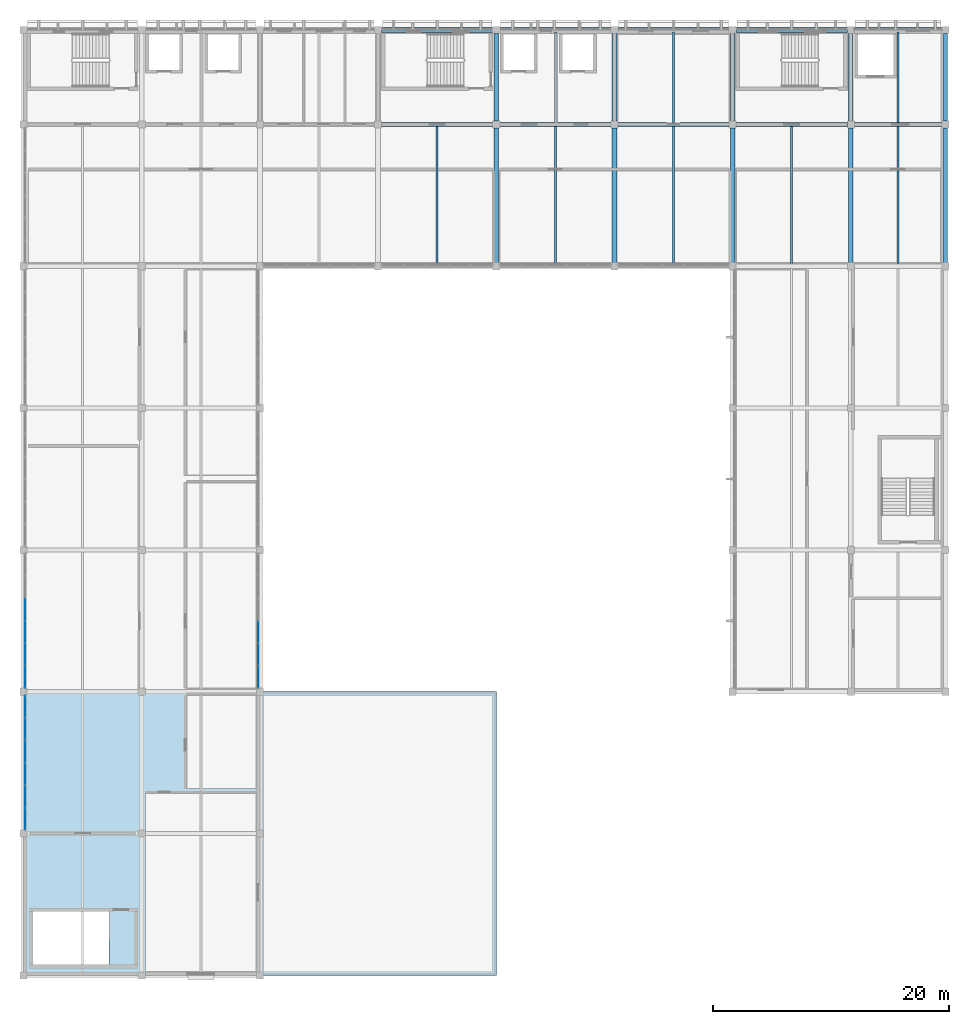
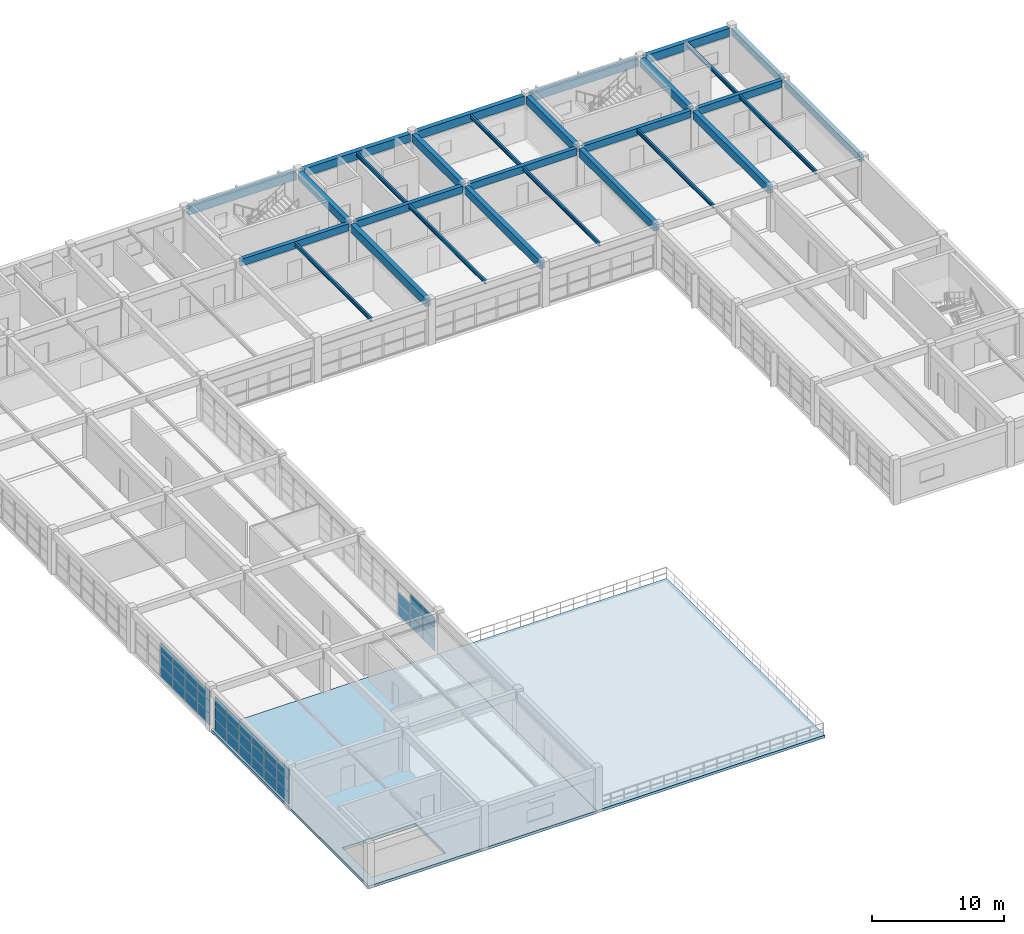
# One storey, part 14 of 28: 38 plates, 28 beams, 2 slabs, 3 elements without a shape of their own.
"""IFC4 building model written with IfcOpenShell, lengths in metres."""

import ifcopenshell
import ifcopenshell.guid

model = None  # the IFC model being written
_history = None  # IfcOwnerHistory: only IFC2X3 demands one
_inside = {}  # id of a spatial element -> (the spatial element, [elements in it])
_under = {}  # id of a project, library or spatial element -> (it, [spatial elements below it])
_declared = {}  # id of a project -> (the project, [libraries it declares])
_typed = {}  # id of a type object -> (the type object, [elements of that type])
_made_of = {}  # id of a material, layer set ... -> (it, [elements and type objects made of it])


def new_model(schema):
    """Start an empty IFC model of exactly this schema.

    Asked for "IFC4X3", IfcOpenShell would pick the latest addendum, in which some entities
    have other attributes; the version numbers below select the first issue.
    IFC2X3 requires an IfcOwnerHistory on every rooted entity: one is made here for all.
    """
    global model, _history
    if schema == "IFC4X3":
        model = ifcopenshell.file(schema_version=(4, 3, 0, 0))
    else:
        model = ifcopenshell.file(schema=schema)
    _inside.clear()
    _under.clear()
    _declared.clear()
    _typed.clear()
    _made_of.clear()
    _history = None
    if model.schema == "IFC2X3":
        org = make("IfcOrganization", Name="unknown")
        user = make(
            "IfcPersonAndOrganization",
            ThePerson=make("IfcPerson", FamilyName="unknown"),
            TheOrganization=org,
        )
        app = make(
            "IfcApplication",
            ApplicationDeveloper=org,
            Version="unknown",
            ApplicationFullName="unknown",
            ApplicationIdentifier="unknown",
        )
        _history = make(
            "IfcOwnerHistory",
            OwningUser=user,
            OwningApplication=app,
            ChangeAction="ADDED",
            CreationDate=0,
        )
    return model


def make(cls, **values):
    """One entity of the class cls with the attributes given. An attribute that is None is left unset."""
    return model.create_entity(
        cls, **{name: value for name, value in values.items() if value is not None}
    )


def rooted(cls, **values):
    """An entity with a GlobalId (a new one), such as an element, a storey or a relation."""
    return make(cls, GlobalId=ifcopenshell.guid.new(), OwnerHistory=_history, **values)


def si_unit(unit_type, name, prefix=None):
    """IfcSIUnit, for example si_unit("LENGTHUNIT", "METRE", prefix="MILLI")."""
    return make("IfcSIUnit", UnitType=unit_type, Prefix=prefix, Name=name)


def assignment(units):
    """IfcUnitAssignment: the units of a project."""
    return None if units is None else make("IfcUnitAssignment", Units=units)


def point(xyz):
    """IfcCartesianPoint."""
    return None if xyz is None else make("IfcCartesianPoint", Coordinates=xyz)


def direction(xyz):
    """IfcDirection."""
    return None if xyz is None else make("IfcDirection", DirectionRatios=xyz)


def frame(location, z_axis=None, x_axis=None):
    """IfcAxis2Placement3D, a coordinate frame: its origin and axes. An axis left out is left unset."""
    return make(
        "IfcAxis2Placement3D",
        Location=point(location),
        Axis=direction(z_axis),
        RefDirection=direction(x_axis),
    )


def frame_2d(location, x_axis=None):
    """IfcAxis2Placement2D, a coordinate frame in the plane: its origin and x axis."""
    return make(
        "IfcAxis2Placement2D", Location=point(location), RefDirection=direction(x_axis)
    )


def origin():
    """The frame at (0, 0, 0) with its axes left unset."""
    return frame((0.0, 0.0, 0.0))


def origin_2d():
    """The frame at (0, 0) in the plane with its x axis left unset."""
    return frame_2d((0.0, 0.0))


def place(relative_to, where):
    """IfcLocalPlacement: puts the frame where relative to a parent placement (None: the world)."""
    return make(
        "IfcLocalPlacement", PlacementRelTo=relative_to, RelativePlacement=where
    )


def context(
    kind, dimensions, precision=None, world=None, true_north=None, identifier=None
):
    """IfcGeometricRepresentationContext, for example the 3D "Model" context."""
    return make(
        "IfcGeometricRepresentationContext",
        ContextIdentifier=identifier,
        ContextType=kind,
        CoordinateSpaceDimension=dimensions,
        Precision=precision,
        WorldCoordinateSystem=world,
        TrueNorth=true_north,
    )


def subcontext(parent, identifier, kind, view, scale=None):
    """IfcGeometricRepresentationSubContext, for example "Body" below "Model"."""
    return make(
        "IfcGeometricRepresentationSubContext",
        ContextIdentifier=identifier,
        ContextType=kind,
        ParentContext=parent,
        TargetScale=scale,
        TargetView=view,
    )


def project(units=None, contexts=None):
    """IfcProject with its units and contexts."""
    return rooted(
        "IfcProject",
        Name="project",
        RepresentationContexts=contexts,
        UnitsInContext=assignment(units),
    )


def spatial(cls, under=None, at=None, **own):
    """A site, building, storey or space (cls), placed at a placement, below another one or the project."""
    s = rooted(cls, ObjectPlacement=at, **own)
    if under is not None:
        _under.setdefault(under.id(), (under, []))[1].append(s)
    return s


def polyline(points):
    """IfcPolyline through the points."""
    return make("IfcPolyline", Points=[point(p) for p in points])


def profile(cls, at=None, kind="AREA", **sizes):
    """A parametric profile (cls). Its sizes go by their IFC names, for example OverallWidth=200.0."""
    return make(cls, ProfileType=kind, Position=at, **sizes)


def rectangle(**sizes):
    """IfcRectangleProfileDef."""
    return profile("IfcRectangleProfileDef", **sizes)


def i_section(**sizes):
    """IfcIShapeProfileDef."""
    return profile("IfcIShapeProfileDef", **sizes)


def outline(outer, holes=None, kind="AREA"):
    """IfcArbitraryClosedProfileDef: a profile drawn as a closed curve; with holes, ...WithVoids."""
    if holes is None:
        return make("IfcArbitraryClosedProfileDef", ProfileType=kind, OuterCurve=outer)
    return make(
        "IfcArbitraryProfileDefWithVoids",
        ProfileType=kind,
        OuterCurve=outer,
        InnerCurves=holes,
    )


def extrude(swept, where, along, depth):
    """IfcExtrudedAreaSolid: the profile swept, set in the frame where, extruded along a direction by depth."""
    return make(
        "IfcExtrudedAreaSolid",
        SweptArea=swept,
        Position=where,
        ExtrudedDirection=direction(along),
        Depth=depth,
    )


def shape(context_of_items, identifier, shape_type, items):
    """IfcShapeRepresentation: the items that make up one representation, for example the "Body"."""
    return make(
        "IfcShapeRepresentation",
        ContextOfItems=context_of_items,
        RepresentationIdentifier=identifier,
        RepresentationType=shape_type,
        Items=items,
    )


def material(Name=None, Category=None):
    """IfcMaterial."""
    return make("IfcMaterial", Name=Name, Category=Category)


def layer(
    of_material, thickness, ventilated=None, Name=None, Category=None, Priority=None
):
    """IfcMaterialLayer: one layer of a wall or slab, of a material (None: an air gap)."""
    return make(
        "IfcMaterialLayer",
        Material=of_material,
        LayerThickness=thickness,
        IsVentilated=ventilated,
        Name=Name,
        Category=Category,
        Priority=Priority,
    )


def layer_set(layers, Name=None):
    """IfcMaterialLayerSet."""
    return make("IfcMaterialLayerSet", MaterialLayers=layers, LayerSetName=Name)


def material_profile(
    of_material, cross_section, Name=None, Category=None, Priority=None
):
    """IfcMaterialProfile: a cross section and its material."""
    return make(
        "IfcMaterialProfile",
        Name=Name,
        Material=of_material,
        Profile=cross_section,
        Priority=Priority,
        Category=Category,
    )


def profile_set(profiles, Name=None, composite=None):
    """IfcMaterialProfileSet."""
    return make(
        "IfcMaterialProfileSet",
        Name=Name,
        MaterialProfiles=profiles,
        CompositeProfile=composite,
    )


def made_of(thing, what):
    """Note that an element or type object is made of a material, layer set ...; save() writes the relation."""
    if what is not None:
        _made_of.setdefault(what.id(), (what, []))[1].append(thing)
    return thing


def type_object(cls, material=None, **own):
    """A type object (cls), such as IfcWallType, which elements share."""
    return made_of(rooted(cls, **own), material)


def element(
    cls,
    number,
    at=None,
    inside=None,
    cuts=None,
    type_object=None,
    material=None,
    context=None,
    identifier="Body",
    shape_type=None,
    held_by="IfcProductDefinitionShape",
    body=None,
    shapes=None,
    **own,
):
    """One element of the class cls, such as IfcWall. Its Tag is "e" and its number.

    at: its placement. inside: the storey or other place that contains it. cuts: it is an
    opening in that element (IfcRelVoidsElement). A single representation is given by context,
    identifier, shape_type and body (its items); several are given by shapes. held_by: the class
    of the entity that holds the representations. save() writes the other relations.
    """
    e = rooted(cls, Tag="e%d" % number, ObjectPlacement=at, **own)
    if body is not None:
        shapes = [shape(context, identifier, shape_type, body)]
    if shapes is not None:
        e.Representation = make(held_by, Representations=shapes)
    if inside is not None:
        _inside.setdefault(inside.id(), (inside, []))[1].append(e)
    if cuts is not None:
        rooted(
            "IfcRelVoidsElement", RelatingBuildingElement=cuts, RelatedOpeningElement=e
        )
    if type_object is not None:
        _typed.setdefault(type_object.id(), (type_object, []))[1].append(e)
    return made_of(e, material)


def aggregate(whole, parts):
    """IfcRelAggregates: a whole, such as a stair, and the parts it consists of."""
    return rooted("IfcRelAggregates", RelatingObject=whole, RelatedObjects=parts)


def save(model, path):
    """Write the relations noted so far, then the file.

    IfcRelAggregates (storeys below a building ...), IfcRelContainedInSpatialStructure (elements
    in a storey), IfcRelDefinesByType, IfcRelAssociatesMaterial and IfcRelDeclares: one each for
    every whole, place, type object, material and project.
    """
    for whole, parts in _under.values():
        aggregate(whole, parts)
    for where, things in _inside.values():
        rooted(
            "IfcRelContainedInSpatialStructure",
            RelatedElements=things,
            RelatingStructure=where,
        )
    for kind, things in _typed.values():
        rooted("IfcRelDefinesByType", RelatedObjects=things, RelatingType=kind)
    for what, things in _made_of.values():
        rooted("IfcRelAssociatesMaterial", RelatedObjects=things, RelatingMaterial=what)
    for by, libraries in _declared.values():
        rooted("IfcRelDeclares", RelatingContext=by, RelatedDefinitions=libraries)
    model.write(path)


model = new_model("IFC4")

# Units and contexts
model_context = context("Model", 3, precision=1e-05, world=origin(), true_north=direction((0.0, 1.0)))
body_context = subcontext(model_context, "Body", "Model", "MODEL_VIEW")
ifc_project = project(units=[si_unit("LENGTHUNIT", "METRE"), si_unit("AREAUNIT", "SQUARE_METRE"), si_unit("VOLUMEUNIT", "CUBIC_METRE"), si_unit("PLANEANGLEUNIT", "RADIAN"), si_unit("MASSUNIT", "GRAM", prefix="KILO")], contexts=[model_context])

# Site, building, storey
site_placement = place(None, origin())
site = spatial("IfcSite", under=ifc_project, at=site_placement, CompositionType="ELEMENT")
building_placement = place(site_placement, origin())
building = spatial("IfcBuilding", under=site, at=building_placement, Name="Kivolera Central Railway Station", CompositionType="ELEMENT")
storey_placement = place(building_placement, frame((0.0, 0.0, 18.60009765625)))
storey = spatial("IfcBuildingStorey", under=building, at=storey_placement, Name="L04", CompositionType="ELEMENT", Elevation=18.60009765625)

# Beams
ifc_material_1 = material(Name="Steel S355", Category="steel")
ifc_material_profile_1 = material_profile(ifc_material_1, i_section(OverallWidth=0.169921875, OverallDepth=0.360107421875, WebThickness=0.008056640625, FlangeThickness=0.0126953125, FilletRadius=0.01806640625, at=origin_2d()), Name="IPE 360")
ifc_profile_set_1 = profile_set([ifc_material_profile_1], Name="Steel S355")
beam_type_1 = type_object("IfcBeamType", Name="BM-JST-IPE360", PredefinedType="JOIST", material=ifc_profile_set_1)
for number, where, z_axis, x_axis, name in (
    (1, (153.0, 114.1669921875, 3.7578125), (0.0, 1.0, 0.0), (-1.0, 0.0, 0.0), "L04 Floor Joist 15-16/K-L"),
    (2, (163.0, 114.1669921875, 3.7578125), (0.0, 1.0, 0.0), (-1.0, 0.0, 0.0), "L04 Floor Joist 16-17/K-L"),
):
    element("IfcBeam", number, at=place(storey_placement, frame(where, z_axis=z_axis, x_axis=x_axis)), inside=storey, type_object=beam_type_1, Name=name, PredefinedType="JOIST", context=body_context, shape_type="SweptSolid", body=[
        extrude(i_section(OverallWidth=0.169921875, OverallDepth=0.360107421875, WebThickness=0.008056640625, FlangeThickness=0.0126953125, FilletRadius=0.01806640625, at=origin_2d()), origin(), (0.0, 0.0, 1.0), 11.666015625),
    ])
beam_1_placement = place(storey_placement, frame((163.0, 126.1669921875, 3.7578125), z_axis=(0.0, 1.0, 0.0), x_axis=(-1.0, 0.0, 0.0)))
element("IfcBeam", 3, at=beam_1_placement, inside=storey, type_object=beam_type_1, Name="L04 Floor Joist 16-17/L-M", PredefinedType="JOIST", context=body_context, shape_type="SweptSolid", body=[
    extrude(i_section(OverallWidth=0.169921875, OverallDepth=0.360107421875, WebThickness=0.008056640625, FlangeThickness=0.0126953125, FilletRadius=0.01806640625, at=origin_2d()), origin(), (0.0, 0.0, 1.0), 7.64111328125),
])
beam_2_placement = place(storey_placement, frame((173.0, 114.1669921875, 3.7578125), z_axis=(0.0, 1.0, 0.0), x_axis=(-1.0, 0.0, 0.0)))
element("IfcBeam", 4, at=beam_2_placement, inside=storey, type_object=beam_type_1, Name="L04 Floor Joist 17-18/K-L", PredefinedType="JOIST", context=body_context, shape_type="SweptSolid", body=[
    extrude(i_section(OverallWidth=0.169921875, OverallDepth=0.360107421875, WebThickness=0.008056640625, FlangeThickness=0.0126953125, FilletRadius=0.01806640625, at=origin_2d()), origin(), (0.0, 0.0, 1.0), 11.666015625),
])
beam_3_placement = place(storey_placement, frame((173.0, 126.1669921875, 3.7578125), z_axis=(0.0, 1.0, 0.0), x_axis=(-1.0, 0.0, 0.0)))
element("IfcBeam", 5, at=beam_3_placement, inside=storey, type_object=beam_type_1, Name="L04 Floor Joist 17-18/L-M", PredefinedType="JOIST", context=body_context, shape_type="SweptSolid", body=[
    extrude(i_section(OverallWidth=0.169921875, OverallDepth=0.360107421875, WebThickness=0.008056640625, FlangeThickness=0.0126953125, FilletRadius=0.01806640625, at=origin_2d()), origin(), (0.0, 0.0, 1.0), 7.64111328125),
])
for number, where, z_axis, x_axis, name in (
    (6, (183.0, 114.1669921875, 3.7578125), (0.0, 1.0, 0.0), (-1.0, 0.0, 0.0), "L04 Floor Joist 18-19/K-L"),
    (7, (192.0, 114.1669921875, 3.7578125), (0.0, 1.0, 0.0), (-1.0, 0.0, 0.0), "L04 Floor Joist 19-20/K-L"),
):
    element("IfcBeam", number, at=place(storey_placement, frame(where, z_axis=z_axis, x_axis=x_axis)), inside=storey, type_object=beam_type_1, Name=name, PredefinedType="JOIST", context=body_context, shape_type="SweptSolid", body=[
        extrude(i_section(OverallWidth=0.169921875, OverallDepth=0.360107421875, WebThickness=0.008056640625, FlangeThickness=0.0126953125, FilletRadius=0.01806640625, at=origin_2d()), origin(), (0.0, 0.0, 1.0), 11.666015625),
    ])
beam_4_placement = place(storey_placement, frame((192.0, 126.1669921875, 3.7578125), z_axis=(0.0, 1.0, 0.0), x_axis=(-1.0, 0.0, 0.0)))
element("IfcBeam", 8, at=beam_4_placement, inside=storey, type_object=beam_type_1, Name="L04 Floor Joist 19-20/L-M", PredefinedType="JOIST", context=body_context, shape_type="SweptSolid", body=[
    extrude(i_section(OverallWidth=0.169921875, OverallDepth=0.360107421875, WebThickness=0.008056640625, FlangeThickness=0.0126953125, FilletRadius=0.01806640625, at=origin_2d()), origin(), (0.0, 0.0, 1.0), 7.64111328125),
])
ifc_material_2 = material(Name="Concrete C40/50", Category="concrete")
ifc_material_profile_2 = material_profile(ifc_material_2, rectangle(XDim=0.35009765625, YDim=0.64990234375, at=origin_2d()), Name="RC 350x650")
ifc_profile_set_2 = profile_set([ifc_material_profile_2], Name="Concrete C40/50")
beam_type_2 = type_object("IfcBeamType", Name="BM-RC-350x650", PredefinedType="BEAM", material=ifc_profile_set_2)
for number, where, z_axis, x_axis, name in (
    (9, (148.2919921875, 126.0, 3.625), (1.0, 0.0, 0.0), (0.0, 1.0, 0.0), "L04 Wing X-Beam L:15-16"),
    (10, (158.2919921875, 126.0, 3.625), (1.0, 0.0, 0.0), (0.0, 1.0, 0.0), "L04 Wing X-Beam L:16-17"),
    (11, (168.2919921875, 126.0, 3.625), (1.0, 0.0, 0.0), (0.0, 1.0, 0.0), "L04 Wing X-Beam L:17-18"),
    (12, (178.2919921875, 126.0, 3.625), (1.0, 0.0, 0.0), (0.0, 1.0, 0.0), "L04 Wing X-Beam L:18-19"),
):
    element("IfcBeam", number, at=place(storey_placement, frame(where, z_axis=z_axis, x_axis=x_axis)), inside=storey, type_object=beam_type_2, Name=name, PredefinedType="BEAM", context=body_context, shape_type="SweptSolid", body=[
        extrude(rectangle(XDim=0.35009765625, YDim=0.64990234375, at=origin_2d()), origin(), (0.0, 0.0, 1.0), 9.416015625),
    ])
beam_5_placement = place(storey_placement, frame((188.2919921875, 126.0, 3.625), z_axis=(1.0, 0.0, 0.0), x_axis=(0.0, 1.0, 0.0)))
element("IfcBeam", 13, at=beam_5_placement, inside=storey, type_object=beam_type_2, Name="L04 Wing X-Beam L:19-20", PredefinedType="BEAM", context=body_context, shape_type="SweptSolid", body=[
    extrude(rectangle(XDim=0.35009765625, YDim=0.64990234375, at=origin_2d()), origin(), (0.0, 0.0, 1.0), 7.416015625),
])
ifc_material_profile_3 = material_profile(ifc_material_2, rectangle(XDim=0.39990234375, YDim=0.75, at=origin_2d()), Name="RC 400x750")
ifc_profile_set_3 = profile_set([ifc_material_profile_3], Name="Concrete C40/50")
beam_type_3 = type_object("IfcBeamType", Name="BM-RC-400x750", PredefinedType="BEAM", material=ifc_profile_set_3)
beam_6_placement = place(storey_placement, frame((158.0, 114.2919921875, 3.574951171875), z_axis=(0.0, 1.0, 0.0), x_axis=(-1.0, 0.0, 0.0)))
element("IfcBeam", 14, at=beam_6_placement, inside=storey, type_object=beam_type_3, Name="L04 Wing Y-Beam 16:K-L", PredefinedType="BEAM", context=body_context, shape_type="SweptSolid", body=[
    extrude(rectangle(XDim=0.39990234375, YDim=0.75, at=origin_2d()), origin(), (0.0, 0.0, 1.0), 11.416015625),
])
beam_7_placement = place(storey_placement, frame((158.0, 126.2919921875, 3.574951171875), z_axis=(0.0, 1.0, 0.0), x_axis=(-1.0, 0.0, 0.0)))
element("IfcBeam", 15, at=beam_7_placement, inside=storey, type_object=beam_type_3, Name="L04 Wing Y-Beam 16:L-M", PredefinedType="BEAM", context=body_context, shape_type="SweptSolid", body=[
    extrude(rectangle(XDim=0.39990234375, YDim=0.75, at=origin_2d()), origin(), (0.0, 0.0, 1.0), 7.416015625),
])
beam_8_placement = place(storey_placement, frame((168.0, 114.2919921875, 3.574951171875), z_axis=(0.0, 1.0, 0.0), x_axis=(-1.0, 0.0, 0.0)))
element("IfcBeam", 16, at=beam_8_placement, inside=storey, type_object=beam_type_3, Name="L04 Wing Y-Beam 17:K-L", PredefinedType="BEAM", context=body_context, shape_type="SweptSolid", body=[
    extrude(rectangle(XDim=0.39990234375, YDim=0.75, at=origin_2d()), origin(), (0.0, 0.0, 1.0), 11.416015625),
])
beam_9_placement = place(storey_placement, frame((168.0, 126.2919921875, 3.574951171875), z_axis=(0.0, 1.0, 0.0), x_axis=(-1.0, 0.0, 0.0)))
element("IfcBeam", 17, at=beam_9_placement, inside=storey, type_object=beam_type_3, Name="L04 Wing Y-Beam 17:L-M", PredefinedType="BEAM", context=body_context, shape_type="SweptSolid", body=[
    extrude(rectangle(XDim=0.39990234375, YDim=0.75, at=origin_2d()), origin(), (0.0, 0.0, 1.0), 7.416015625),
])
beam_10_placement = place(storey_placement, frame((178.0, 114.2919921875, 3.574951171875), z_axis=(0.0, 1.0, 0.0), x_axis=(-1.0, 0.0, 0.0)))
element("IfcBeam", 18, at=beam_10_placement, inside=storey, type_object=beam_type_3, Name="L04 Wing Y-Beam 18:K-L", PredefinedType="BEAM", context=body_context, shape_type="SweptSolid", body=[
    extrude(rectangle(XDim=0.39990234375, YDim=0.75, at=origin_2d()), origin(), (0.0, 0.0, 1.0), 11.416015625),
])
beam_11_placement = place(storey_placement, frame((178.0, 126.2919921875, 3.574951171875), z_axis=(0.0, 1.0, 0.0), x_axis=(-1.0, 0.0, 0.0)))
element("IfcBeam", 19, at=beam_11_placement, inside=storey, type_object=beam_type_3, Name="L04 Wing Y-Beam 18:L-M", PredefinedType="BEAM", context=body_context, shape_type="SweptSolid", body=[
    extrude(rectangle(XDim=0.39990234375, YDim=0.75, at=origin_2d()), origin(), (0.0, 0.0, 1.0), 7.416015625),
])
beam_12_placement = place(storey_placement, frame((188.0, 114.2919921875, 3.574951171875), z_axis=(0.0, 1.0, 0.0), x_axis=(-1.0, 0.0, 0.0)))
element("IfcBeam", 20, at=beam_12_placement, inside=storey, type_object=beam_type_3, Name="L04 Wing Y-Beam 19:K-L", PredefinedType="BEAM", context=body_context, shape_type="SweptSolid", body=[
    extrude(rectangle(XDim=0.39990234375, YDim=0.75, at=origin_2d()), origin(), (0.0, 0.0, 1.0), 11.416015625),
])
beam_13_placement = place(storey_placement, frame((188.0, 126.2919921875, 3.574951171875), z_axis=(0.0, 1.0, 0.0), x_axis=(-1.0, 0.0, 0.0)))
element("IfcBeam", 21, at=beam_13_placement, inside=storey, type_object=beam_type_3, Name="L04 Wing Y-Beam 19:L-M", PredefinedType="BEAM", context=body_context, shape_type="SweptSolid", body=[
    extrude(rectangle(XDim=0.39990234375, YDim=0.75, at=origin_2d()), origin(), (0.0, 0.0, 1.0), 7.416015625),
])
ifc_material_profile_4 = material_profile(ifc_material_2, rectangle(XDim=0.35009765625, YDim=0.64990234375, at=origin_2d()), Name="RC 350x650")
ifc_profile_set_4 = profile_set([ifc_material_profile_4], Name="Concrete C40/50")
beam_type_4 = type_object("IfcBeamType", Name="BM-SPN-RC650", PredefinedType="SPANDREL", material=ifc_profile_set_4)
beam_14_placement = place(storey_placement, frame((196.0, 114.2919921875, 3.625), z_axis=(0.0, 1.0, 0.0), x_axis=(-1.0, 0.0, 0.0)))
element("IfcBeam", 22, at=beam_14_placement, inside=storey, type_object=beam_type_4, Name="L04 Wing Y-Beam 20:K-L", PredefinedType="SPANDREL", context=body_context, shape_type="SweptSolid", body=[
    extrude(rectangle(XDim=0.35009765625, YDim=0.64990234375, at=origin_2d()), origin(), (0.0, 0.0, 1.0), 11.416015625),
])
beam_15_placement = place(storey_placement, frame((196.0, 126.2919921875, 3.625), z_axis=(0.0, 1.0, 0.0), x_axis=(-1.0, 0.0, 0.0)))
element("IfcBeam", 23, at=beam_15_placement, inside=storey, type_object=beam_type_4, Name="L04 Wing Y-Beam 20:L-M", PredefinedType="SPANDREL", context=body_context, shape_type="SweptSolid", body=[
    extrude(rectangle(XDim=0.35009765625, YDim=0.64990234375, at=origin_2d()), origin(), (0.0, 0.0, 1.0), 7.416015625),
])
ifc_material_profile_5 = material_profile(ifc_material_2, rectangle(XDim=0.39990234375, YDim=0.75, at=origin_2d()), Name="RC 400x750")
ifc_profile_set_5 = profile_set([ifc_material_profile_5], Name="Concrete C40/50")
beam_type_5 = type_object("IfcBeamType", Name="BM-SPN-RC750", PredefinedType="SPANDREL", material=ifc_profile_set_5)
for number, where, z_axis, x_axis, name in (
    (24, (148.2919921875, 134.0, 3.574951171875), (1.0, 0.0, 0.0), (0.0, 1.0, 0.0), "L04 Wing X-Beam M:15-16"),
    (25, (158.2919921875, 134.0, 3.574951171875), (1.0, 0.0, 0.0), (0.0, 1.0, 0.0), "L04 Wing X-Beam M:16-17"),
    (26, (168.2919921875, 134.0, 3.574951171875), (1.0, 0.0, 0.0), (0.0, 1.0, 0.0), "L04 Wing X-Beam M:17-18"),
    (27, (178.2919921875, 134.0, 3.574951171875), (1.0, 0.0, 0.0), (0.0, 1.0, 0.0), "L04 Wing X-Beam M:18-19"),
):
    element("IfcBeam", number, at=place(storey_placement, frame(where, z_axis=z_axis, x_axis=x_axis)), inside=storey, type_object=beam_type_5, Name=name, PredefinedType="SPANDREL", context=body_context, shape_type="SweptSolid", body=[
        extrude(rectangle(XDim=0.39990234375, YDim=0.75, at=origin_2d()), origin(), (0.0, 0.0, 1.0), 9.416015625),
    ])
beam_16_placement = place(storey_placement, frame((188.2919921875, 134.0, 3.574951171875), z_axis=(1.0, 0.0, 0.0), x_axis=(0.0, 1.0, 0.0)))
element("IfcBeam", 28, at=beam_16_placement, inside=storey, type_object=beam_type_5, Name="L04 Wing X-Beam M:19-20", PredefinedType="SPANDREL", context=body_context, shape_type="SweptSolid", body=[
    extrude(rectangle(XDim=0.39990234375, YDim=0.75, at=origin_2d()), origin(), (0.0, 0.0, 1.0), 7.416015625),
])

# Curtain wall, plates
ifc_material_3 = material(Name="Anodised aluminium", Category="aluminium")
ifc_layer_1 = layer(ifc_material_3, 0.179931640625, Name="Anodised aluminium")
ifc_layer_set_1 = layer_set([ifc_layer_1], Name="Anodised aluminium")
curtain_wall_type_1 = type_object("IfcCurtainWallType", Name="CW-SYS-32", PredefinedType="NOTDEFINED", material=ifc_layer_set_1)
curtain_wall_1_placement = place(storey_placement, origin())
curtain_wall_1 = element("IfcCurtainWall", 29, at=curtain_wall_1_placement, inside=storey, type_object=curtain_wall_type_1, Name="L04 Curtain Wall CW-L04-CRTW-G", PredefinedType="NOTDEFINED")
ifc_material_4 = material(Name="Double low-E laminated glass", Category="glass")
ifc_layer_2 = layer(ifc_material_4, 0.02587890625, Name="Double low-E laminated glass")
ifc_layer_set_2 = layer_set([ifc_layer_2], Name="Double low-E laminated glass")
plate_type_1 = type_object("IfcPlateType", Name="CWP-GLZ-1", PredefinedType="CURTAIN_PANEL", material=ifc_layer_set_2)
plate_1_placement = place(storey_placement, frame((137.85498046875, 83.049072265625, 0.0478515625), z_axis=(0.0, 0.0, 1.0), x_axis=(0.0, -1.0, 0.0)))
plate_1 = element("IfcPlate", 30, at=plate_1_placement, type_object=plate_type_1, Name="CW-32 panel 4.1", PredefinedType="CURTAIN_PANEL", context=body_context, shape_type="SweptSolid", body=[
    extrude(rectangle(XDim=1.86572265625, YDim=0.02587890625, at=origin_2d()), origin(), (0.0, 0.0, 1.0), 1.0498046875),
])
plate_2_placement = place(storey_placement, frame((137.85498046875, 83.049072265625, 1.1337890625), z_axis=(0.0, 0.0, 1.0), x_axis=(0.0, -1.0, 0.0)))
plate_2 = element("IfcPlate", 31, at=plate_2_placement, type_object=plate_type_1, Name="CW-32 panel 4.2", PredefinedType="CURTAIN_PANEL", context=body_context, shape_type="SweptSolid", body=[
    extrude(rectangle(XDim=1.86572265625, YDim=0.02587890625, at=origin_2d()), origin(), (0.0, 0.0, 1.0), 1.079833984375),
])
plate_3_placement = place(storey_placement, frame((137.85498046875, 81.1474609375, 0.0478515625), z_axis=(0.0, 0.0, 1.0), x_axis=(0.0, -1.0, 0.0)))
plate_3 = element("IfcPlate", 32, at=plate_3_placement, type_object=plate_type_1, Name="CW-32 panel 5.1", PredefinedType="CURTAIN_PANEL", context=body_context, shape_type="SweptSolid", body=[
    extrude(rectangle(XDim=1.86572265625, YDim=0.02587890625, at=origin_2d()), origin(), (0.0, 0.0, 1.0), 1.0498046875),
])
plate_4_placement = place(storey_placement, frame((137.85498046875, 81.1474609375, 1.1337890625), z_axis=(0.0, 0.0, 1.0), x_axis=(0.0, -1.0, 0.0)))
plate_4 = element("IfcPlate", 33, at=plate_4_placement, type_object=plate_type_1, Name="CW-32 panel 5.2", PredefinedType="CURTAIN_PANEL", context=body_context, shape_type="SweptSolid", body=[
    extrude(rectangle(XDim=1.86572265625, YDim=0.02587890625, at=origin_2d()), origin(), (0.0, 0.0, 1.0), 1.079833984375),
])
plate_5_placement = place(storey_placement, frame((137.85498046875, 81.1474609375, 2.24951171875), z_axis=(0.0, 0.0, 1.0), x_axis=(0.0, -1.0, 0.0)))
plate_5 = element("IfcPlate", 34, at=plate_5_placement, type_object=plate_type_1, Name="CW-32 panel 5.3", PredefinedType="CURTAIN_PANEL", context=body_context, shape_type="SweptSolid", body=[
    extrude(rectangle(XDim=1.86572265625, YDim=0.02587890625, at=origin_2d()), origin(), (0.0, 0.0, 1.0), 0.890380859375),
])
plate_6_placement = place(storey_placement, frame((137.85498046875, 79.2607421875, 0.0478515625), z_axis=(0.0, 0.0, 1.0), x_axis=(0.0, -1.0, 0.0)))
plate_6 = element("IfcPlate", 35, at=plate_6_placement, type_object=plate_type_1, Name="CW-32 panel 6.1", PredefinedType="CURTAIN_PANEL", context=body_context, shape_type="SweptSolid", body=[
    extrude(rectangle(XDim=1.835693359375, YDim=0.02587890625, at=origin_2d()), origin(), (0.0, 0.0, 1.0), 1.0498046875),
])
plate_7_placement = place(storey_placement, frame((137.85498046875, 79.2607421875, 1.1337890625), z_axis=(0.0, 0.0, 1.0), x_axis=(0.0, -1.0, 0.0)))
plate_7 = element("IfcPlate", 36, at=plate_7_placement, type_object=plate_type_1, Name="CW-32 panel 6.2", PredefinedType="CURTAIN_PANEL", context=body_context, shape_type="SweptSolid", body=[
    extrude(rectangle(XDim=1.835693359375, YDim=0.02587890625, at=origin_2d()), origin(), (0.0, 0.0, 1.0), 1.079833984375),
])
plate_8_placement = place(storey_placement, frame((137.85498046875, 79.2607421875, 2.24951171875), z_axis=(0.0, 0.0, 1.0), x_axis=(0.0, -1.0, 0.0)))
plate_8 = element("IfcPlate", 37, at=plate_8_placement, type_object=plate_type_1, Name="CW-32 panel 6.3", PredefinedType="CURTAIN_PANEL", context=body_context, shape_type="SweptSolid", body=[
    extrude(rectangle(XDim=1.835693359375, YDim=0.02587890625, at=origin_2d()), origin(), (0.0, 0.0, 1.0), 0.890380859375),
])
aggregate(curtain_wall_1, [plate_1, plate_2, plate_3, plate_4, plate_5, plate_6, plate_7, plate_8])

ifc_layer_3 = layer(ifc_material_3, 0.179931640625, Name="Anodised aluminium")
ifc_layer_set_3 = layer_set([ifc_layer_3], Name="Anodised aluminium")
curtain_wall_type_2 = type_object("IfcCurtainWallType", Name="CW-SYS-33", PredefinedType="NOTDEFINED", material=ifc_layer_set_3)
curtain_wall_2_placement = place(storey_placement, origin())
curtain_wall_2 = element("IfcCurtainWall", 38, at=curtain_wall_2_placement, inside=storey, type_object=curtain_wall_type_2, Name="L04 Curtain Wall CW-L04-WEST-F", PredefinedType="NOTDEFINED")
ifc_layer_4 = layer(ifc_material_4, 0.030029296875, Name="Double low-E laminated glass")
ifc_layer_set_4 = layer_set([ifc_layer_4], Name="Double low-E laminated glass")
plate_type_2 = type_object("IfcPlateType", Name="CWP-GLZ-2", PredefinedType="CURTAIN_PANEL", material=ifc_layer_set_4)
plate_9_placement = place(storey_placement, frame((118.14501953125, 67.263427734375, 0.057861328125), z_axis=(0.0, 0.0, 1.0), x_axis=(0.0, 1.0, 0.0)))
plate_9 = element("IfcPlate", 39, at=plate_9_placement, type_object=plate_type_2, Name="CW-33 panel 1.1", PredefinedType="CURTAIN_PANEL", context=body_context, shape_type="SweptSolid", body=[
    extrude(rectangle(XDim=1.820556640625, YDim=0.030029296875, at=origin_2d()), origin(), (0.0, 0.0, 1.0), 1.06982421875),
])
plate_10_placement = place(storey_placement, frame((118.14501953125, 67.263427734375, 1.173828125), z_axis=(0.0, 0.0, 1.0), x_axis=(0.0, 1.0, 0.0)))
plate_10 = element("IfcPlate", 40, at=plate_10_placement, type_object=plate_type_2, Name="CW-33 panel 1.2", PredefinedType="CURTAIN_PANEL", context=body_context, shape_type="SweptSolid", body=[
    extrude(rectangle(XDim=1.820556640625, YDim=0.030029296875, at=origin_2d()), origin(), (0.0, 0.0, 1.0), 1.104736328125),
])
plate_11_placement = place(storey_placement, frame((118.14501953125, 67.263427734375, 2.32421875), z_axis=(0.0, 0.0, 1.0), x_axis=(0.0, 1.0, 0.0)))
plate_11 = element("IfcPlate", 41, at=plate_11_placement, type_object=plate_type_2, Name="CW-33 panel 1.3", PredefinedType="CURTAIN_PANEL", context=body_context, shape_type="SweptSolid", body=[
    extrude(rectangle(XDim=1.820556640625, YDim=0.030029296875, at=origin_2d()), origin(), (0.0, 0.0, 1.0), 0.905517578125),
])
plate_12_placement = place(storey_placement, frame((118.14501953125, 69.1474609375, 0.057861328125), z_axis=(0.0, 0.0, 1.0), x_axis=(0.0, 1.0, 0.0)))
plate_12 = element("IfcPlate", 42, at=plate_12_placement, type_object=plate_type_2, Name="CW-33 panel 2.1", PredefinedType="CURTAIN_PANEL", context=body_context, shape_type="SweptSolid", body=[
    extrude(rectangle(XDim=1.855712890625, YDim=0.030029296875, at=origin_2d()), origin(), (0.0, 0.0, 1.0), 1.06982421875),
])
plate_13_placement = place(storey_placement, frame((118.14501953125, 69.1474609375, 1.173828125), z_axis=(0.0, 0.0, 1.0), x_axis=(0.0, 1.0, 0.0)))
plate_13 = element("IfcPlate", 43, at=plate_13_placement, type_object=plate_type_2, Name="CW-33 panel 2.2", PredefinedType="CURTAIN_PANEL", context=body_context, shape_type="SweptSolid", body=[
    extrude(rectangle(XDim=1.855712890625, YDim=0.030029296875, at=origin_2d()), origin(), (0.0, 0.0, 1.0), 1.104736328125),
])
plate_14_placement = place(storey_placement, frame((118.14501953125, 69.1474609375, 2.32421875), z_axis=(0.0, 0.0, 1.0), x_axis=(0.0, 1.0, 0.0)))
plate_14 = element("IfcPlate", 44, at=plate_14_placement, type_object=plate_type_2, Name="CW-33 panel 2.3", PredefinedType="CURTAIN_PANEL", context=body_context, shape_type="SweptSolid", body=[
    extrude(rectangle(XDim=1.855712890625, YDim=0.030029296875, at=origin_2d()), origin(), (0.0, 0.0, 1.0), 0.905517578125),
])
plate_15_placement = place(storey_placement, frame((118.14501953125, 71.049072265625, 0.057861328125), z_axis=(0.0, 0.0, 1.0), x_axis=(0.0, 1.0, 0.0)))
plate_15 = element("IfcPlate", 45, at=plate_15_placement, type_object=plate_type_2, Name="CW-33 panel 3.1", PredefinedType="CURTAIN_PANEL", context=body_context, shape_type="SweptSolid", body=[
    extrude(rectangle(XDim=1.855712890625, YDim=0.030029296875, at=origin_2d()), origin(), (0.0, 0.0, 1.0), 1.06982421875),
])
plate_16_placement = place(storey_placement, frame((118.14501953125, 71.049072265625, 1.173828125), z_axis=(0.0, 0.0, 1.0), x_axis=(0.0, 1.0, 0.0)))
plate_16 = element("IfcPlate", 46, at=plate_16_placement, type_object=plate_type_2, Name="CW-33 panel 3.2", PredefinedType="CURTAIN_PANEL", context=body_context, shape_type="SweptSolid", body=[
    extrude(rectangle(XDim=1.855712890625, YDim=0.030029296875, at=origin_2d()), origin(), (0.0, 0.0, 1.0), 1.104736328125),
])
plate_17_placement = place(storey_placement, frame((118.14501953125, 71.049072265625, 2.32421875), z_axis=(0.0, 0.0, 1.0), x_axis=(0.0, 1.0, 0.0)))
plate_17 = element("IfcPlate", 47, at=plate_17_placement, type_object=plate_type_2, Name="CW-33 panel 3.3", PredefinedType="CURTAIN_PANEL", context=body_context, shape_type="SweptSolid", body=[
    extrude(rectangle(XDim=1.855712890625, YDim=0.030029296875, at=origin_2d()), origin(), (0.0, 0.0, 1.0), 0.905517578125),
])
plate_18_placement = place(storey_placement, frame((118.14501953125, 72.950927734375, 0.057861328125), z_axis=(0.0, 0.0, 1.0), x_axis=(0.0, 1.0, 0.0)))
plate_18 = element("IfcPlate", 48, at=plate_18_placement, type_object=plate_type_2, Name="CW-33 panel 4.1", PredefinedType="CURTAIN_PANEL", context=body_context, shape_type="SweptSolid", body=[
    extrude(rectangle(XDim=1.855712890625, YDim=0.030029296875, at=origin_2d()), origin(), (0.0, 0.0, 1.0), 1.06982421875),
])
plate_19_placement = place(storey_placement, frame((118.14501953125, 72.950927734375, 1.173828125), z_axis=(0.0, 0.0, 1.0), x_axis=(0.0, 1.0, 0.0)))
plate_19 = element("IfcPlate", 49, at=plate_19_placement, type_object=plate_type_2, Name="CW-33 panel 4.2", PredefinedType="CURTAIN_PANEL", context=body_context, shape_type="SweptSolid", body=[
    extrude(rectangle(XDim=1.855712890625, YDim=0.030029296875, at=origin_2d()), origin(), (0.0, 0.0, 1.0), 1.104736328125),
])
plate_20_placement = place(storey_placement, frame((118.14501953125, 72.950927734375, 2.32421875), z_axis=(0.0, 0.0, 1.0), x_axis=(0.0, 1.0, 0.0)))
plate_20 = element("IfcPlate", 50, at=plate_20_placement, type_object=plate_type_2, Name="CW-33 panel 4.3", PredefinedType="CURTAIN_PANEL", context=body_context, shape_type="SweptSolid", body=[
    extrude(rectangle(XDim=1.855712890625, YDim=0.030029296875, at=origin_2d()), origin(), (0.0, 0.0, 1.0), 0.905517578125),
])
plate_21_placement = place(storey_placement, frame((118.14501953125, 74.8525390625, 0.057861328125), z_axis=(0.0, 0.0, 1.0), x_axis=(0.0, 1.0, 0.0)))
plate_21 = element("IfcPlate", 51, at=plate_21_placement, type_object=plate_type_2, Name="CW-33 panel 5.1", PredefinedType="CURTAIN_PANEL", context=body_context, shape_type="SweptSolid", body=[
    extrude(rectangle(XDim=1.855712890625, YDim=0.030029296875, at=origin_2d()), origin(), (0.0, 0.0, 1.0), 1.06982421875),
])
plate_22_placement = place(storey_placement, frame((118.14501953125, 74.8525390625, 1.173828125), z_axis=(0.0, 0.0, 1.0), x_axis=(0.0, 1.0, 0.0)))
plate_22 = element("IfcPlate", 52, at=plate_22_placement, type_object=plate_type_2, Name="CW-33 panel 5.2", PredefinedType="CURTAIN_PANEL", context=body_context, shape_type="SweptSolid", body=[
    extrude(rectangle(XDim=1.855712890625, YDim=0.030029296875, at=origin_2d()), origin(), (0.0, 0.0, 1.0), 1.104736328125),
])
plate_23_placement = place(storey_placement, frame((118.14501953125, 74.8525390625, 2.32421875), z_axis=(0.0, 0.0, 1.0), x_axis=(0.0, 1.0, 0.0)))
plate_23 = element("IfcPlate", 53, at=plate_23_placement, type_object=plate_type_2, Name="CW-33 panel 5.3", PredefinedType="CURTAIN_PANEL", context=body_context, shape_type="SweptSolid", body=[
    extrude(rectangle(XDim=1.855712890625, YDim=0.030029296875, at=origin_2d()), origin(), (0.0, 0.0, 1.0), 0.905517578125),
])
plate_24_placement = place(storey_placement, frame((118.14501953125, 76.736572265625, 0.057861328125), z_axis=(0.0, 0.0, 1.0), x_axis=(0.0, 1.0, 0.0)))
plate_24 = element("IfcPlate", 54, at=plate_24_placement, type_object=plate_type_2, Name="CW-33 panel 6.1", PredefinedType="CURTAIN_PANEL", context=body_context, shape_type="SweptSolid", body=[
    extrude(rectangle(XDim=1.820556640625, YDim=0.030029296875, at=origin_2d()), origin(), (0.0, 0.0, 1.0), 1.06982421875),
])
plate_25_placement = place(storey_placement, frame((118.14501953125, 76.736572265625, 1.173828125), z_axis=(0.0, 0.0, 1.0), x_axis=(0.0, 1.0, 0.0)))
plate_25 = element("IfcPlate", 55, at=plate_25_placement, type_object=plate_type_2, Name="CW-33 panel 6.2", PredefinedType="CURTAIN_PANEL", context=body_context, shape_type="SweptSolid", body=[
    extrude(rectangle(XDim=1.820556640625, YDim=0.030029296875, at=origin_2d()), origin(), (0.0, 0.0, 1.0), 1.104736328125),
])
plate_26_placement = place(storey_placement, frame((118.14501953125, 76.736572265625, 2.32421875), z_axis=(0.0, 0.0, 1.0), x_axis=(0.0, 1.0, 0.0)))
plate_26 = element("IfcPlate", 56, at=plate_26_placement, type_object=plate_type_2, Name="CW-33 panel 6.3", PredefinedType="CURTAIN_PANEL", context=body_context, shape_type="SweptSolid", body=[
    extrude(rectangle(XDim=1.820556640625, YDim=0.030029296875, at=origin_2d()), origin(), (0.0, 0.0, 1.0), 0.905517578125),
])
aggregate(curtain_wall_2, [plate_9, plate_10, plate_11, plate_12, plate_13, plate_14, plate_15, plate_16, plate_17, plate_18, plate_19, plate_20, plate_21, plate_22, plate_23, plate_24, plate_25, plate_26])

curtain_wall_3_placement = place(storey_placement, origin())
curtain_wall_3 = element("IfcCurtainWall", 57, at=curtain_wall_3_placement, inside=storey, type_object=curtain_wall_type_2, Name="L04 Curtain Wall CW-L04-WEST-G", PredefinedType="NOTDEFINED")
plate_27_placement = place(storey_placement, frame((118.14501953125, 79.263427734375, 0.057861328125), z_axis=(0.0, 0.0, 1.0), x_axis=(0.0, 1.0, 0.0)))
plate_27 = element("IfcPlate", 58, at=plate_27_placement, type_object=plate_type_2, Name="CW-33 panel 1.1", PredefinedType="CURTAIN_PANEL", context=body_context, shape_type="SweptSolid", body=[
    extrude(rectangle(XDim=1.820556640625, YDim=0.030029296875, at=origin_2d()), origin(), (0.0, 0.0, 1.0), 1.06982421875),
])
plate_28_placement = place(storey_placement, frame((118.14501953125, 79.263427734375, 1.173828125), z_axis=(0.0, 0.0, 1.0), x_axis=(0.0, 1.0, 0.0)))
plate_28 = element("IfcPlate", 59, at=plate_28_placement, type_object=plate_type_2, Name="CW-33 panel 1.2", PredefinedType="CURTAIN_PANEL", context=body_context, shape_type="SweptSolid", body=[
    extrude(rectangle(XDim=1.820556640625, YDim=0.030029296875, at=origin_2d()), origin(), (0.0, 0.0, 1.0), 1.104736328125),
])
plate_29_placement = place(storey_placement, frame((118.14501953125, 79.263427734375, 2.32421875), z_axis=(0.0, 0.0, 1.0), x_axis=(0.0, 1.0, 0.0)))
plate_29 = element("IfcPlate", 60, at=plate_29_placement, type_object=plate_type_2, Name="CW-33 panel 1.3", PredefinedType="CURTAIN_PANEL", context=body_context, shape_type="SweptSolid", body=[
    extrude(rectangle(XDim=1.820556640625, YDim=0.030029296875, at=origin_2d()), origin(), (0.0, 0.0, 1.0), 0.905517578125),
])
plate_30_placement = place(storey_placement, frame((118.14501953125, 81.1474609375, 0.057861328125), z_axis=(0.0, 0.0, 1.0), x_axis=(0.0, 1.0, 0.0)))
plate_30 = element("IfcPlate", 61, at=plate_30_placement, type_object=plate_type_2, Name="CW-33 panel 2.1", PredefinedType="CURTAIN_PANEL", context=body_context, shape_type="SweptSolid", body=[
    extrude(rectangle(XDim=1.855712890625, YDim=0.030029296875, at=origin_2d()), origin(), (0.0, 0.0, 1.0), 1.06982421875),
])
plate_31_placement = place(storey_placement, frame((118.14501953125, 81.1474609375, 1.173828125), z_axis=(0.0, 0.0, 1.0), x_axis=(0.0, 1.0, 0.0)))
plate_31 = element("IfcPlate", 62, at=plate_31_placement, type_object=plate_type_2, Name="CW-33 panel 2.2", PredefinedType="CURTAIN_PANEL", context=body_context, shape_type="SweptSolid", body=[
    extrude(rectangle(XDim=1.855712890625, YDim=0.030029296875, at=origin_2d()), origin(), (0.0, 0.0, 1.0), 1.104736328125),
])
plate_32_placement = place(storey_placement, frame((118.14501953125, 81.1474609375, 2.32421875), z_axis=(0.0, 0.0, 1.0), x_axis=(0.0, 1.0, 0.0)))
plate_32 = element("IfcPlate", 63, at=plate_32_placement, type_object=plate_type_2, Name="CW-33 panel 2.3", PredefinedType="CURTAIN_PANEL", context=body_context, shape_type="SweptSolid", body=[
    extrude(rectangle(XDim=1.855712890625, YDim=0.030029296875, at=origin_2d()), origin(), (0.0, 0.0, 1.0), 0.905517578125),
])
plate_33_placement = place(storey_placement, frame((118.14501953125, 83.049072265625, 0.057861328125), z_axis=(0.0, 0.0, 1.0), x_axis=(0.0, 1.0, 0.0)))
plate_33 = element("IfcPlate", 64, at=plate_33_placement, type_object=plate_type_2, Name="CW-33 panel 3.1", PredefinedType="CURTAIN_PANEL", context=body_context, shape_type="SweptSolid", body=[
    extrude(rectangle(XDim=1.855712890625, YDim=0.030029296875, at=origin_2d()), origin(), (0.0, 0.0, 1.0), 1.06982421875),
])
plate_34_placement = place(storey_placement, frame((118.14501953125, 83.049072265625, 1.173828125), z_axis=(0.0, 0.0, 1.0), x_axis=(0.0, 1.0, 0.0)))
plate_34 = element("IfcPlate", 65, at=plate_34_placement, type_object=plate_type_2, Name="CW-33 panel 3.2", PredefinedType="CURTAIN_PANEL", context=body_context, shape_type="SweptSolid", body=[
    extrude(rectangle(XDim=1.855712890625, YDim=0.030029296875, at=origin_2d()), origin(), (0.0, 0.0, 1.0), 1.104736328125),
])
plate_35_placement = place(storey_placement, frame((118.14501953125, 83.049072265625, 2.32421875), z_axis=(0.0, 0.0, 1.0), x_axis=(0.0, 1.0, 0.0)))
plate_35 = element("IfcPlate", 66, at=plate_35_placement, type_object=plate_type_2, Name="CW-33 panel 3.3", PredefinedType="CURTAIN_PANEL", context=body_context, shape_type="SweptSolid", body=[
    extrude(rectangle(XDim=1.855712890625, YDim=0.030029296875, at=origin_2d()), origin(), (0.0, 0.0, 1.0), 0.905517578125),
])
plate_36_placement = place(storey_placement, frame((118.14501953125, 84.950927734375, 0.057861328125), z_axis=(0.0, 0.0, 1.0), x_axis=(0.0, 1.0, 0.0)))
plate_36 = element("IfcPlate", 67, at=plate_36_placement, type_object=plate_type_2, Name="CW-33 panel 4.1", PredefinedType="CURTAIN_PANEL", context=body_context, shape_type="SweptSolid", body=[
    extrude(rectangle(XDim=1.855712890625, YDim=0.030029296875, at=origin_2d()), origin(), (0.0, 0.0, 1.0), 1.06982421875),
])
plate_37_placement = place(storey_placement, frame((118.14501953125, 84.950927734375, 1.173828125), z_axis=(0.0, 0.0, 1.0), x_axis=(0.0, 1.0, 0.0)))
plate_37 = element("IfcPlate", 68, at=plate_37_placement, type_object=plate_type_2, Name="CW-33 panel 4.2", PredefinedType="CURTAIN_PANEL", context=body_context, shape_type="SweptSolid", body=[
    extrude(rectangle(XDim=1.855712890625, YDim=0.030029296875, at=origin_2d()), origin(), (0.0, 0.0, 1.0), 1.104736328125),
])
plate_38_placement = place(storey_placement, frame((118.14501953125, 84.950927734375, 2.32421875), z_axis=(0.0, 0.0, 1.0), x_axis=(0.0, 1.0, 0.0)))
plate_38 = element("IfcPlate", 69, at=plate_38_placement, type_object=plate_type_2, Name="CW-33 panel 4.3", PredefinedType="CURTAIN_PANEL", context=body_context, shape_type="SweptSolid", body=[
    extrude(rectangle(XDim=1.855712890625, YDim=0.030029296875, at=origin_2d()), origin(), (0.0, 0.0, 1.0), 0.905517578125),
])
aggregate(curtain_wall_3, [plate_27, plate_28, plate_29, plate_30, plate_31, plate_32, plate_33, plate_34, plate_35, plate_36, plate_37, plate_38])

# Slabs
ifc_layer_5 = layer(ifc_material_2, 0.260009765625, Name="Concrete C40/50")
ifc_layer_set_5 = layer_set([ifc_layer_5], Name="Concrete C40/50")
slab_type_1 = type_object("IfcSlabType", Name="SLB-FLR-260", PredefinedType="FLOOR", material=ifc_layer_set_5)
slab_1_placement = place(storey_placement, frame((0.0, 0.0, -0.260009765625)))
element("IfcSlab", 70, at=slab_1_placement, inside=storey, type_object=slab_type_1, Name="L04 Wing SW-HEAD Floor Slab", PredefinedType="FLOOR", context=body_context, shape_type="SweptSolid", body=[
    extrude(outline(polyline([(118.0, 54.0), (138.0, 54.0), (138.0, 78.0), (118.0, 78.0), (118.0, 54.0)]), holes=[polyline([(125.239990234375, 59.39990234375), (118.800048828125, 59.39990234375), (118.800048828125, 54.89990234375), (125.239990234375, 54.89990234375), (125.239990234375, 59.39990234375)])]), origin(), (0.0, 0.0, 1.0), 0.260009765625),
])
ifc_layer_6 = layer(ifc_material_2, 0.239990234375, Name="Concrete C40/50")
ifc_layer_set_6 = layer_set([ifc_layer_6], Name="Concrete C40/50")
slab_type_2 = type_object("IfcSlabType", Name="SLB-TER-240", PredefinedType="ROOF", material=ifc_layer_set_6)
slab_2_placement = place(storey_placement, frame((0.0, 0.0, -0.239990234375)))
element("IfcSlab", 71, at=slab_2_placement, inside=storey, type_object=slab_type_2, Name="L04 South Walkable Monsoon Roof Terrace Slab", PredefinedType="ROOF", context=body_context, shape_type="SweptSolid", body=[
    extrude(outline(polyline([(138.0, 54.0), (158.0, 54.0), (158.0, 78.0), (138.0, 78.0), (138.0, 54.0)])), origin(), (0.0, 0.0, 1.0), 0.239990234375),
])

save(model, "model.ifc")
